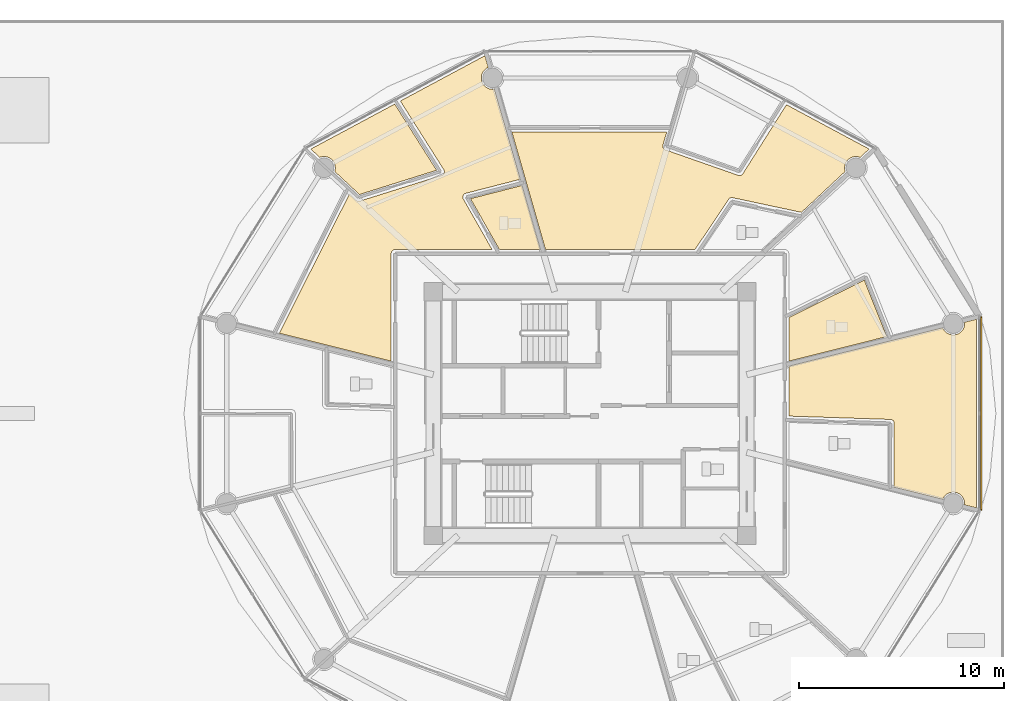
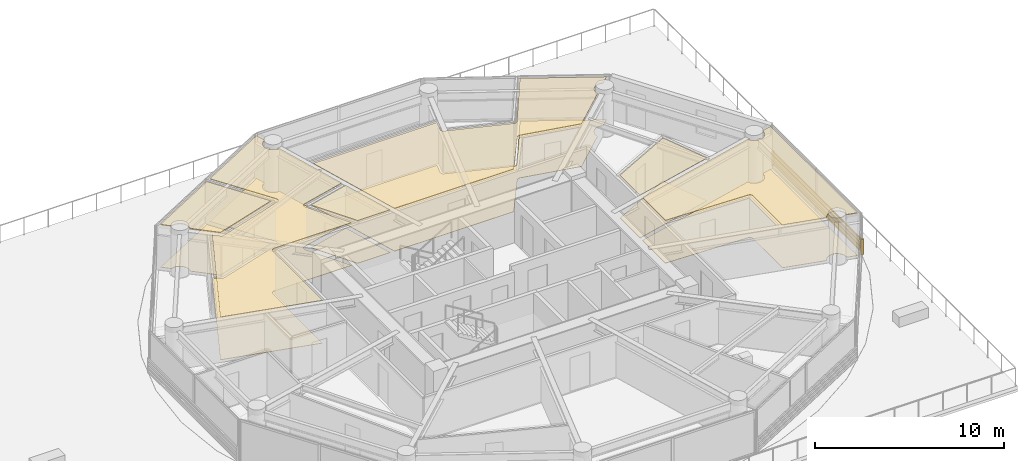
# One storey, part 29 of 32: 12 coverings, 1 shading device.
"""IFC4 building model written with IfcOpenShell, lengths in metres."""

from ifc_helpers import new_model, si_unit, direction, frame, origin, origin_2d, place, context, subcontext, project, spatial, polyline, rectangle, outline, extrude, source, transform, mapped, material, layer, layer_set, type_object, type_shapes, element, save


model = new_model("IFC4")

# Units and contexts
model_context = context("Model", 3, precision=1e-05, world=origin(), true_north=direction((0.0, 1.0)))
body_context = subcontext(model_context, "Body", "Model", "MODEL_VIEW")
ifc_project = project(units=[si_unit("LENGTHUNIT", "METRE"), si_unit("AREAUNIT", "SQUARE_METRE"), si_unit("VOLUMEUNIT", "CUBIC_METRE"), si_unit("PLANEANGLEUNIT", "RADIAN"), si_unit("MASSUNIT", "GRAM", prefix="KILO")], contexts=[model_context])

# Site, building, storey
site_placement = place(None, origin())
site = spatial("IfcSite", under=ifc_project, at=site_placement, CompositionType="ELEMENT")
building_placement = place(site_placement, origin())
building = spatial("IfcBuilding", under=site, at=building_placement, Name="Norrkilde Senior Care Towers", CompositionType="ELEMENT")
storey_placement = place(building_placement, frame((0.0, 0.0, 21.60009765625)))
storey = spatial("IfcBuildingStorey", under=building, at=storey_placement, Name="L05", CompositionType="ELEMENT", Elevation=21.60009765625)

# Coverings
ifc_material_1 = material(Name="Nordic Ash Timber", Category="wood")
ifc_layer_1 = layer(ifc_material_1, 0.044921875)
ifc_layer_set_1 = layer_set([ifc_layer_1], Name="Nordic Ash Timber")
covering_type_1 = type_object("IfcCoveringType", Name="Acoustic Ash Timber Slatted Ceiling 45", PredefinedType="CEILING", material=ifc_layer_set_1)
covering_1_placement = place(storey_placement, frame((0.0, 0.0, 2.744873046875)))
element("IfcCovering", 1, at=covering_1_placement, inside=storey, type_object=covering_type_1, Name="L05 Suspended Ceiling 0140", PredefinedType="CEILING", context=body_context, shape_type="SweptSolid", body=[
    extrude(outline(polyline([(31.555419921875, 13.073486328125), (31.5546875, 13.066650390625), (31.553466796875, 13.054443359375), (31.553466796875, 13.04736328125), (31.553466796875, 13.03515625), (31.553955078125, 13.028076171875), (31.555419921875, 13.01611328125), (31.556640625, 13.009033203125), (31.559326171875, 12.997314453125), (31.561279296875, 12.990478515625), (31.565185546875, 12.97900390625), (31.567626953125, 12.972412109375), (31.57275390625, 12.961181640625), (31.575927734375, 12.955078125), (31.58203125, 12.944580078125), (31.5859375, 12.9384765625), (31.593017578125, 12.9287109375), (31.597412109375, 12.923095703125), (31.60546875, 12.9140625), (31.610595703125, 12.9091796875), (31.619384765625, 12.90087890625), (31.625, 12.896240234375), (31.634765625, 12.88916015625), (31.640625, 12.88525390625), (31.65087890625, 12.87890625), (31.6572265625, 12.87548828125), (31.668212890625, 12.870361328125), (31.6748046875, 12.86767578125), (31.680419921875, 12.86572265625), (35.2333984375, 11.62109375), (35.23876953125, 11.619384765625), (35.245361328125, 11.617431640625), (35.25634765625, 11.61474609375), (35.262939453125, 11.61328125), (35.2744140625, 11.61181640625), (35.281005859375, 11.611083984375), (35.292724609375, 11.610595703125), (35.29931640625, 11.610595703125), (35.310791015625, 11.611083984375), (35.317626953125, 11.611572265625), (35.328857421875, 11.61328125), (35.33544921875, 11.614501953125), (35.3466796875, 11.617431640625), (35.35302734375, 11.619140625), (35.364013671875, 11.623046875), (35.370361328125, 11.62548828125), (35.380615234375, 11.63037109375), (35.38671875, 11.63330078125), (35.396728515625, 11.63916015625), (35.40234375, 11.642822265625), (35.41162109375, 11.649658203125), (35.4169921875, 11.65380859375), (35.425537109375, 11.661376953125), (35.430419921875, 11.666015625), (35.438232421875, 11.67431640625), (35.442626953125, 11.679443359375), (35.44970703125, 11.6884765625), (35.45361328125, 11.694091796875), (35.456787109375, 11.698974609375), (37.5869140625, 15.0673828125), (41.62109375, 12.904296875), (41.183349609375, 12.494873046875), (41.119140625, 12.521484375), (40.975341796875, 12.54052734375), (40.831787109375, 12.521484375), (40.697998046875, 12.466064453125), (40.5830078125, 12.3779296875), (40.494873046875, 12.262939453125), (40.439208984375, 12.129150390625), (40.42041015625, 11.9853515625), (40.439208984375, 11.841796875), (40.4521484375, 11.810791015625), (38.317626953125, 9.814453125), (34.9619140625, 10.530029296875), (34.9560546875, 10.53125), (34.94921875, 10.5322265625), (34.937255859375, 10.53369140625), (34.930419921875, 10.5341796875), (34.91845703125, 10.5341796875), (34.91162109375, 10.533935546875), (34.899658203125, 10.532958984375), (34.892822265625, 10.531982421875), (34.881103515625, 10.52978515625), (34.874267578125, 10.528076171875), (34.863037109375, 10.524658203125), (34.8564453125, 10.5224609375), (34.845458984375, 10.51806640625), (34.839111328125, 10.51513671875), (34.82861328125, 10.509521484375), (34.822509765625, 10.505859375), (34.8125, 10.49951171875), (34.80712890625, 10.495361328125), (34.7978515625, 10.48779296875), (34.792724609375, 10.483154296875), (34.7841796875, 10.474609375), (34.779541015625, 10.469482421875), (34.77197265625, 10.46044921875), (34.767822265625, 10.454833984375), (34.764404296875, 10.449951171875), (33.125, 8.0), (25.8330078125, 8.0), (24.189453125, 13.73681640625), (31.747802734375, 13.73681640625), (31.56103515625, 13.098388671875), (31.559326171875, 13.092529296875), (31.5576171875, 13.08544921875), (31.555419921875, 13.073486328125)])), origin(), (0.0, 0.0, 1.0), 0.044921875),
])
covering_2_placement = place(storey_placement, frame((0.0, 0.0, 2.744873046875)))
element("IfcCovering", 2, at=covering_2_placement, inside=storey, type_object=covering_type_1, Name="L05 Suspended Ceiling 0144", PredefinedType="CEILING", context=body_context, shape_type="SweptSolid", body=[
    extrude(outline(polyline([(18.447509765625, 7.992919921875), (18.436279296875, 7.989501953125), (18.428955078125, 7.98681640625), (18.41796875, 7.982421875), (18.410888671875, 7.97900390625), (18.400634765625, 7.973388671875), (18.393798828125, 7.969482421875), (18.384033203125, 7.962890625), (18.377685546875, 7.958251953125), (18.36865234375, 7.95068359375), (18.36279296875, 7.945556640625), (18.3544921875, 7.937255859375), (18.34912109375, 7.931396484375), (18.341796875, 7.92236328125), (18.337158203125, 7.916015625), (18.33056640625, 7.90625), (18.326416015625, 7.8994140625), (18.321044921875, 7.888916015625), (18.317626953125, 7.8818359375), (18.31298828125, 7.87109375), (18.310546875, 7.86376953125), (18.30712890625, 7.852294921875), (18.30517578125, 7.8447265625), (18.302734375, 7.833251953125), (18.3017578125, 7.825439453125), (18.300537109375, 7.813720703125), (18.300048828125, 7.805908203125), (18.300048828125, 7.800048828125), (18.300048828125, 2.5546875), (12.84326171875, 3.922119140625), (16.2666015625, 10.714111328125), (16.591552734375, 10.410400390625), (16.595703125, 10.406494140625), (16.600830078125, 10.402099609375), (16.610107421875, 10.39501953125), (16.615478515625, 10.39111328125), (16.625244140625, 10.385009765625), (16.631103515625, 10.3818359375), (16.6416015625, 10.376708984375), (16.647705078125, 10.3740234375), (16.658447265625, 10.369873046875), (16.664794921875, 10.36767578125), (16.67578125, 10.364501953125), (16.682373046875, 10.363037109375), (16.69384765625, 10.361083984375), (16.700439453125, 10.3603515625), (16.7119140625, 10.359375), (16.71875, 10.359130859375), (16.730224609375, 10.359375), (16.73681640625, 10.359619140625), (16.748291015625, 10.361083984375), (16.7548828125, 10.362060546875), (16.76611328125, 10.364501953125), (16.772705078125, 10.3662109375), (16.7783203125, 10.36767578125), (20.7607421875, 11.619140625), (20.766357421875, 11.62109375), (20.772705078125, 11.623291015625), (20.783203125, 11.6279296875), (20.789306640625, 11.630859375), (20.799560546875, 11.63623046875), (20.80517578125, 11.639892578125), (20.814697265625, 11.646240234375), (20.8203125, 11.650390625), (20.8291015625, 11.65771484375), (20.833984375, 11.662109375), (20.84228515625, 11.67041015625), (20.8466796875, 11.67529296875), (20.85400390625, 11.684326171875), (20.858154296875, 11.689697265625), (20.864501953125, 11.69921875), (20.8681640625, 11.705078125), (20.87353515625, 11.715087890625), (20.87646484375, 11.72119140625), (20.881103515625, 11.73193359375), (20.88330078125, 11.73828125), (20.88671875, 11.749267578125), (20.888427734375, 11.755859375), (20.890869140625, 11.76708984375), (20.891845703125, 11.773681640625), (20.89306640625, 11.78515625), (20.8935546875, 11.7919921875), (20.893798828125, 11.803466796875), (20.8935546875, 11.810302734375), (20.892578125, 11.82177734375), (20.8916015625, 11.828369140625), (20.8896484375, 11.83984375), (20.88818359375, 11.846435546875), (20.885009765625, 11.857421875), (20.8828125, 11.864013671875), (20.878662109375, 11.874755859375), (20.8759765625, 11.880859375), (20.87060546875, 11.89111328125), (20.867431640625, 11.89697265625), (20.864501953125, 11.90185546875), (18.748779296875, 15.24755859375), (22.87353515625, 17.458984375), (23.039306640625, 16.88037109375), (22.97314453125, 16.85302734375), (22.858154296875, 16.764892578125), (22.77001953125, 16.64990234375), (22.714599609375, 16.51611328125), (22.695556640625, 16.37255859375), (22.714599609375, 16.228759765625), (22.77001953125, 16.094970703125), (22.858154296875, 15.97998046875), (22.97314453125, 15.891845703125), (23.10693359375, 15.83642578125), (23.250732421875, 15.8173828125), (23.34033203125, 15.829345703125), (24.60107421875, 11.42822265625), (21.939697265625, 10.74365234375), (21.934326171875, 10.7421875), (21.927734375, 10.739990234375), (21.916748046875, 10.736083984375), (21.91064453125, 10.7333984375), (21.900146484375, 10.728515625), (21.894287109375, 10.725341796875), (21.88427734375, 10.71923828125), (21.878662109375, 10.715576171875), (21.869384765625, 10.708740234375), (21.864013671875, 10.704345703125), (21.85546875, 10.696533203125), (21.8505859375, 10.69189453125), (21.843017578125, 10.683349609375), (21.838623046875, 10.677978515625), (21.83154296875, 10.668701171875), (21.827880859375, 10.6630859375), (21.82177734375, 10.6533203125), (21.818603515625, 10.647216796875), (21.8134765625, 10.63671875), (21.81103515625, 10.630615234375), (21.806884765625, 10.61962890625), (21.804931640625, 10.61328125), (21.802001953125, 10.60205078125), (21.800537109375, 10.595458984375), (21.798828125, 10.583984375), (21.798095703125, 10.5771484375), (21.79736328125, 10.565673828125), (21.797119140625, 10.558837890625), (21.797607421875, 10.54736328125), (21.798095703125, 10.54052734375), (21.799560546875, 10.529052734375), (21.80078125, 10.5224609375), (21.803466796875, 10.51123046875), (21.805419921875, 10.504638671875), (21.80908203125, 10.49365234375), (21.8115234375, 10.4873046875), (21.816162109375, 10.476806640625), (21.8193359375, 10.470703125), (21.822021484375, 10.465576171875), (23.22607421875, 8.0), (18.5, 8.0), (18.494140625, 7.999755859375), (18.486328125, 7.99951171875), (18.474609375, 7.998291015625), (18.466796875, 7.9970703125), (18.455322265625, 7.994873046875), (18.447509765625, 7.992919921875)])), origin(), (0.0, 0.0, 1.0), 0.044921875),
])
covering_3_placement = place(storey_placement, frame((0.0, 0.0, 2.744873046875)))
element("IfcCovering", 3, at=covering_3_placement, inside=storey, type_object=covering_type_1, Name="L05 Suspended Ceiling 0146", PredefinedType="CEILING", context=body_context, shape_type="SweptSolid", body=[
    extrude(outline(polyline([(15.5478515625, 11.810791015625), (15.560791015625, 11.841796875), (15.57958984375, 11.9853515625), (15.560791015625, 12.129150390625), (15.505126953125, 12.262939453125), (15.4169921875, 12.3779296875), (15.302001953125, 12.466064453125), (15.168212890625, 12.521484375), (15.024658203125, 12.54052734375), (14.880859375, 12.521484375), (14.816650390625, 12.494873046875), (14.37890625, 12.904296875), (18.474853515625, 15.1005859375), (20.51904296875, 11.8681640625), (16.752197265625, 10.6845703125), (15.5478515625, 11.810791015625)])), origin(), (0.0, 0.0, 1.0), 0.044921875),
])
covering_4_placement = place(storey_placement, frame((0.0, 0.0, 2.744873046875)))
element("IfcCovering", 4, at=covering_4_placement, inside=storey, type_object=covering_type_1, Name="L05 Suspended Ceiling 0157", PredefinedType="CEILING", context=body_context, shape_type="SweptSolid", body=[
    extrude(outline(polyline([(42.844482421875, -0.4658203125), (42.843505859375, -0.454345703125), (42.842529296875, -0.447509765625), (42.84033203125, -0.436279296875), (42.8388671875, -0.4296875), (42.83544921875, -0.418701171875), (42.833251953125, -0.412353515625), (42.828857421875, -0.401611328125), (42.826171875, -0.3955078125), (42.82080078125, -0.38525390625), (42.8173828125, -0.37939453125), (42.811279296875, -0.36962890625), (42.80712890625, -0.3642578125), (42.800048828125, -0.355224609375), (42.795654296875, -0.35009765625), (42.78759765625, -0.341796875), (42.78271484375, -0.337158203125), (42.77392578125, -0.32958984375), (42.7685546875, -0.32568359375), (42.759033203125, -0.31884765625), (42.75341796875, -0.3154296875), (42.743408203125, -0.309814453125), (42.7373046875, -0.306640625), (42.726806640625, -0.302001953125), (42.720458984375, -0.299560546875), (42.70947265625, -0.2958984375), (42.703125, -0.294189453125), (42.69189453125, -0.29150390625), (42.68505859375, -0.290283203125), (42.673583984375, -0.288818359375), (42.6669921875, -0.288330078125), (42.6611328125, -0.2880859375), (37.699951171875, -0.126220703125), (37.699951171875, 2.30712890625), (45.2109375, 4.189697265625), (45.244140625, 4.109375), (45.332275390625, 3.99462890625), (45.447265625, 3.90625), (45.5810546875, 3.850830078125), (45.724853515625, 3.83203125), (45.868408203125, 3.850830078125), (46.002197265625, 3.90625), (46.1171875, 3.99462890625), (46.205322265625, 4.109375), (46.2607421875, 4.243408203125), (46.27978515625, 4.386962890625), (46.270751953125, 4.455322265625), (46.850830078125, 4.6005859375), (46.850830078125, -4.6005859375), (46.270751953125, -4.455322265625), (46.27978515625, -4.386962890625), (46.2607421875, -4.243408203125), (46.205322265625, -4.109375), (46.1171875, -3.99462890625), (46.002197265625, -3.90625), (45.868408203125, -3.850830078125), (45.724853515625, -3.83203125), (45.5810546875, -3.850830078125), (45.447265625, -3.90625), (45.332275390625, -3.99462890625), (45.244140625, -4.109375), (45.2109375, -4.189697265625), (42.838134765625, -3.594970703125), (42.844970703125, -0.478271484375), (42.844970703125, -0.472412109375), (42.844482421875, -0.4658203125)])), origin(), (0.0, 0.0, 1.0), 0.044921875),
])
ifc_material_2 = material(Name="Gypsum Acoustic Board")
ifc_layer_2 = layer(ifc_material_2, 0.030029296875)
ifc_layer_set_2 = layer_set([ifc_layer_2], Name="Gypsum Acoustic Board")
covering_type_2 = type_object("IfcCoveringType", Name="Medical Cleanable Gypsum Ceiling 30", PredefinedType="CEILING", material=ifc_layer_set_2)
covering_5_placement = place(storey_placement, frame((0.0, 0.0, 2.760009765625)))
element("IfcCovering", 5, at=covering_5_placement, inside=storey, type_object=covering_type_2, Name="L05 Suspended Ceiling 0145", PredefinedType="CEILING", context=body_context, shape_type="SweptSolid", body=[
    extrude(outline(polyline([(24.681640625, 11.12890625), (25.57958984375, 8.0), (23.582763671875, 8.0), (22.169189453125, 10.482666015625), (24.681640625, 11.12890625)])), origin(), (0.0, 0.0, 1.0), 0.02978515625),
])
covering_6_placement = place(storey_placement, frame((0.0, 0.0, 2.760009765625)))
element("IfcCovering", 6, at=covering_6_placement, inside=storey, type_object=covering_type_2, Name="L05 Suspended Ceiling 0160", PredefinedType="CEILING", context=body_context, shape_type="SweptSolid", body=[
    extrude(outline(polyline([(42.48193359375, 3.753173828125), (37.699951171875, 2.5546875), (37.699951171875, 4.68212890625), (41.3837890625, 6.510986328125), (42.48193359375, 3.753173828125)])), origin(), (0.0, 0.0, 1.0), 0.02978515625),
])
ifc_material_3 = material(Name="Slip-Resistant Porcelain Stone", Category="masonry")
ifc_layer_3 = layer(ifc_material_3, 0.02490234375)
ifc_layer_set_3 = layer_set([ifc_layer_3], Name="Slip-Resistant Porcelain Stone")
covering_type_3 = type_object("IfcCoveringType", Name="Slip-Resistant Porcelain Flooring 25", PredefinedType="FLOORING", material=ifc_layer_set_3)
covering_7_placement = place(storey_placement, origin())
element("IfcCovering", 7, at=covering_7_placement, inside=storey, type_object=covering_type_3, Name="L05 Floor Finish 0140", PredefinedType="FLOORING", context=body_context, shape_type="SweptSolid", body=[
    extrude(outline(polyline([(31.555419921875, 13.073486328125), (31.5546875, 13.066650390625), (31.553466796875, 13.054443359375), (31.553466796875, 13.04736328125), (31.553466796875, 13.03515625), (31.553955078125, 13.028076171875), (31.555419921875, 13.01611328125), (31.556640625, 13.009033203125), (31.559326171875, 12.997314453125), (31.561279296875, 12.990478515625), (31.565185546875, 12.97900390625), (31.567626953125, 12.972412109375), (31.57275390625, 12.961181640625), (31.575927734375, 12.955078125), (31.58203125, 12.944580078125), (31.5859375, 12.9384765625), (31.593017578125, 12.9287109375), (31.597412109375, 12.923095703125), (31.60546875, 12.9140625), (31.610595703125, 12.9091796875), (31.619384765625, 12.90087890625), (31.625, 12.896240234375), (31.634765625, 12.88916015625), (31.640625, 12.88525390625), (31.65087890625, 12.87890625), (31.6572265625, 12.87548828125), (31.668212890625, 12.870361328125), (31.6748046875, 12.86767578125), (31.680419921875, 12.86572265625), (35.2333984375, 11.62109375), (35.23876953125, 11.619384765625), (35.245361328125, 11.617431640625), (35.25634765625, 11.61474609375), (35.262939453125, 11.61328125), (35.2744140625, 11.61181640625), (35.281005859375, 11.611083984375), (35.292724609375, 11.610595703125), (35.29931640625, 11.610595703125), (35.310791015625, 11.611083984375), (35.317626953125, 11.611572265625), (35.328857421875, 11.61328125), (35.33544921875, 11.614501953125), (35.3466796875, 11.617431640625), (35.35302734375, 11.619140625), (35.364013671875, 11.623046875), (35.370361328125, 11.62548828125), (35.380615234375, 11.63037109375), (35.38671875, 11.63330078125), (35.396728515625, 11.63916015625), (35.40234375, 11.642822265625), (35.41162109375, 11.649658203125), (35.4169921875, 11.65380859375), (35.425537109375, 11.661376953125), (35.430419921875, 11.666015625), (35.438232421875, 11.67431640625), (35.442626953125, 11.679443359375), (35.44970703125, 11.6884765625), (35.45361328125, 11.694091796875), (35.456787109375, 11.698974609375), (37.5869140625, 15.0673828125), (41.62109375, 12.904296875), (41.183349609375, 12.494873046875), (41.119140625, 12.521484375), (40.975341796875, 12.54052734375), (40.831787109375, 12.521484375), (40.697998046875, 12.466064453125), (40.5830078125, 12.3779296875), (40.494873046875, 12.262939453125), (40.439208984375, 12.129150390625), (40.42041015625, 11.9853515625), (40.439208984375, 11.841796875), (40.4521484375, 11.810791015625), (38.317626953125, 9.814453125), (34.9619140625, 10.530029296875), (34.9560546875, 10.53125), (34.94921875, 10.5322265625), (34.937255859375, 10.53369140625), (34.930419921875, 10.5341796875), (34.91845703125, 10.5341796875), (34.91162109375, 10.533935546875), (34.899658203125, 10.532958984375), (34.892822265625, 10.531982421875), (34.881103515625, 10.52978515625), (34.874267578125, 10.528076171875), (34.863037109375, 10.524658203125), (34.8564453125, 10.5224609375), (34.845458984375, 10.51806640625), (34.839111328125, 10.51513671875), (34.82861328125, 10.509521484375), (34.822509765625, 10.505859375), (34.8125, 10.49951171875), (34.80712890625, 10.495361328125), (34.7978515625, 10.48779296875), (34.792724609375, 10.483154296875), (34.7841796875, 10.474609375), (34.779541015625, 10.469482421875), (34.77197265625, 10.46044921875), (34.767822265625, 10.454833984375), (34.764404296875, 10.449951171875), (33.125, 8.0), (25.8330078125, 8.0), (24.189453125, 13.73681640625), (31.747802734375, 13.73681640625), (31.56103515625, 13.098388671875), (31.559326171875, 13.092529296875), (31.5576171875, 13.08544921875), (31.555419921875, 13.073486328125)])), origin(), (0.0, 0.0, 1.0), 0.02490234375),
])
covering_8_placement = place(storey_placement, origin())
element("IfcCovering", 8, at=covering_8_placement, inside=storey, type_object=covering_type_3, Name="L05 Floor Finish 0144", PredefinedType="FLOORING", context=body_context, shape_type="SweptSolid", body=[
    extrude(outline(polyline([(18.447509765625, 7.992919921875), (18.436279296875, 7.989501953125), (18.428955078125, 7.98681640625), (18.41796875, 7.982421875), (18.410888671875, 7.97900390625), (18.400634765625, 7.973388671875), (18.393798828125, 7.969482421875), (18.384033203125, 7.962890625), (18.377685546875, 7.958251953125), (18.36865234375, 7.95068359375), (18.36279296875, 7.945556640625), (18.3544921875, 7.937255859375), (18.34912109375, 7.931396484375), (18.341796875, 7.92236328125), (18.337158203125, 7.916015625), (18.33056640625, 7.90625), (18.326416015625, 7.8994140625), (18.321044921875, 7.888916015625), (18.317626953125, 7.8818359375), (18.31298828125, 7.87109375), (18.310546875, 7.86376953125), (18.30712890625, 7.852294921875), (18.30517578125, 7.8447265625), (18.302734375, 7.833251953125), (18.3017578125, 7.825439453125), (18.300537109375, 7.813720703125), (18.300048828125, 7.805908203125), (18.300048828125, 7.800048828125), (18.300048828125, 2.5546875), (12.84326171875, 3.922119140625), (16.2666015625, 10.714111328125), (16.591552734375, 10.410400390625), (16.595703125, 10.406494140625), (16.600830078125, 10.402099609375), (16.610107421875, 10.39501953125), (16.615478515625, 10.39111328125), (16.625244140625, 10.385009765625), (16.631103515625, 10.3818359375), (16.6416015625, 10.376708984375), (16.647705078125, 10.3740234375), (16.658447265625, 10.369873046875), (16.664794921875, 10.36767578125), (16.67578125, 10.364501953125), (16.682373046875, 10.363037109375), (16.69384765625, 10.361083984375), (16.700439453125, 10.3603515625), (16.7119140625, 10.359375), (16.71875, 10.359130859375), (16.730224609375, 10.359375), (16.73681640625, 10.359619140625), (16.748291015625, 10.361083984375), (16.7548828125, 10.362060546875), (16.76611328125, 10.364501953125), (16.772705078125, 10.3662109375), (16.7783203125, 10.36767578125), (20.7607421875, 11.619140625), (20.766357421875, 11.62109375), (20.772705078125, 11.623291015625), (20.783203125, 11.6279296875), (20.789306640625, 11.630859375), (20.799560546875, 11.63623046875), (20.80517578125, 11.639892578125), (20.814697265625, 11.646240234375), (20.8203125, 11.650390625), (20.8291015625, 11.65771484375), (20.833984375, 11.662109375), (20.84228515625, 11.67041015625), (20.8466796875, 11.67529296875), (20.85400390625, 11.684326171875), (20.858154296875, 11.689697265625), (20.864501953125, 11.69921875), (20.8681640625, 11.705078125), (20.87353515625, 11.715087890625), (20.87646484375, 11.72119140625), (20.881103515625, 11.73193359375), (20.88330078125, 11.73828125), (20.88671875, 11.749267578125), (20.888427734375, 11.755859375), (20.890869140625, 11.76708984375), (20.891845703125, 11.773681640625), (20.89306640625, 11.78515625), (20.8935546875, 11.7919921875), (20.893798828125, 11.803466796875), (20.8935546875, 11.810302734375), (20.892578125, 11.82177734375), (20.8916015625, 11.828369140625), (20.8896484375, 11.83984375), (20.88818359375, 11.846435546875), (20.885009765625, 11.857421875), (20.8828125, 11.864013671875), (20.878662109375, 11.874755859375), (20.8759765625, 11.880859375), (20.87060546875, 11.89111328125), (20.867431640625, 11.89697265625), (20.864501953125, 11.90185546875), (18.748779296875, 15.24755859375), (22.87353515625, 17.458984375), (23.039306640625, 16.88037109375), (22.97314453125, 16.85302734375), (22.858154296875, 16.764892578125), (22.77001953125, 16.64990234375), (22.714599609375, 16.51611328125), (22.695556640625, 16.37255859375), (22.714599609375, 16.228759765625), (22.77001953125, 16.094970703125), (22.858154296875, 15.97998046875), (22.97314453125, 15.891845703125), (23.10693359375, 15.83642578125), (23.250732421875, 15.8173828125), (23.34033203125, 15.829345703125), (24.60107421875, 11.42822265625), (21.939697265625, 10.74365234375), (21.934326171875, 10.7421875), (21.927734375, 10.739990234375), (21.916748046875, 10.736083984375), (21.91064453125, 10.7333984375), (21.900146484375, 10.728515625), (21.894287109375, 10.725341796875), (21.88427734375, 10.71923828125), (21.878662109375, 10.715576171875), (21.869384765625, 10.708740234375), (21.864013671875, 10.704345703125), (21.85546875, 10.696533203125), (21.8505859375, 10.69189453125), (21.843017578125, 10.683349609375), (21.838623046875, 10.677978515625), (21.83154296875, 10.668701171875), (21.827880859375, 10.6630859375), (21.82177734375, 10.6533203125), (21.818603515625, 10.647216796875), (21.8134765625, 10.63671875), (21.81103515625, 10.630615234375), (21.806884765625, 10.61962890625), (21.804931640625, 10.61328125), (21.802001953125, 10.60205078125), (21.800537109375, 10.595458984375), (21.798828125, 10.583984375), (21.798095703125, 10.5771484375), (21.79736328125, 10.565673828125), (21.797119140625, 10.558837890625), (21.797607421875, 10.54736328125), (21.798095703125, 10.54052734375), (21.799560546875, 10.529052734375), (21.80078125, 10.5224609375), (21.803466796875, 10.51123046875), (21.805419921875, 10.504638671875), (21.80908203125, 10.49365234375), (21.8115234375, 10.4873046875), (21.816162109375, 10.476806640625), (21.8193359375, 10.470703125), (21.822021484375, 10.465576171875), (23.22607421875, 8.0), (18.5, 8.0), (18.494140625, 7.999755859375), (18.486328125, 7.99951171875), (18.474609375, 7.998291015625), (18.466796875, 7.9970703125), (18.455322265625, 7.994873046875), (18.447509765625, 7.992919921875)])), origin(), (0.0, 0.0, 1.0), 0.02490234375),
])
covering_9_placement = place(storey_placement, origin())
element("IfcCovering", 9, at=covering_9_placement, inside=storey, type_object=covering_type_3, Name="L05 Floor Finish 0145", PredefinedType="FLOORING", context=body_context, shape_type="SweptSolid", body=[
    extrude(outline(polyline([(24.681640625, 11.12890625), (25.57958984375, 8.0), (23.582763671875, 8.0), (22.169189453125, 10.482666015625), (24.681640625, 11.12890625)])), origin(), (0.0, 0.0, 1.0), 0.02490234375),
])
covering_10_placement = place(storey_placement, origin())
element("IfcCovering", 10, at=covering_10_placement, inside=storey, type_object=covering_type_3, Name="L05 Floor Finish 0146", PredefinedType="FLOORING", context=body_context, shape_type="SweptSolid", body=[
    extrude(outline(polyline([(15.5478515625, 11.810791015625), (15.560791015625, 11.841796875), (15.57958984375, 11.9853515625), (15.560791015625, 12.129150390625), (15.505126953125, 12.262939453125), (15.4169921875, 12.3779296875), (15.302001953125, 12.466064453125), (15.168212890625, 12.521484375), (15.024658203125, 12.54052734375), (14.880859375, 12.521484375), (14.816650390625, 12.494873046875), (14.37890625, 12.904296875), (18.474853515625, 15.1005859375), (20.51904296875, 11.8681640625), (16.752197265625, 10.6845703125), (15.5478515625, 11.810791015625)])), origin(), (0.0, 0.0, 1.0), 0.02490234375),
])
covering_11_placement = place(storey_placement, origin())
element("IfcCovering", 11, at=covering_11_placement, inside=storey, type_object=covering_type_3, Name="L05 Floor Finish 0157", PredefinedType="FLOORING", context=body_context, shape_type="SweptSolid", body=[
    extrude(outline(polyline([(42.844482421875, -0.4658203125), (42.843505859375, -0.454345703125), (42.842529296875, -0.447509765625), (42.84033203125, -0.436279296875), (42.8388671875, -0.4296875), (42.83544921875, -0.418701171875), (42.833251953125, -0.412353515625), (42.828857421875, -0.401611328125), (42.826171875, -0.3955078125), (42.82080078125, -0.38525390625), (42.8173828125, -0.37939453125), (42.811279296875, -0.36962890625), (42.80712890625, -0.3642578125), (42.800048828125, -0.355224609375), (42.795654296875, -0.35009765625), (42.78759765625, -0.341796875), (42.78271484375, -0.337158203125), (42.77392578125, -0.32958984375), (42.7685546875, -0.32568359375), (42.759033203125, -0.31884765625), (42.75341796875, -0.3154296875), (42.743408203125, -0.309814453125), (42.7373046875, -0.306640625), (42.726806640625, -0.302001953125), (42.720458984375, -0.299560546875), (42.70947265625, -0.2958984375), (42.703125, -0.294189453125), (42.69189453125, -0.29150390625), (42.68505859375, -0.290283203125), (42.673583984375, -0.288818359375), (42.6669921875, -0.288330078125), (42.6611328125, -0.2880859375), (37.699951171875, -0.126220703125), (37.699951171875, 2.30712890625), (45.2109375, 4.189697265625), (45.244140625, 4.109375), (45.332275390625, 3.99462890625), (45.447265625, 3.90625), (45.5810546875, 3.850830078125), (45.724853515625, 3.83203125), (45.868408203125, 3.850830078125), (46.002197265625, 3.90625), (46.1171875, 3.99462890625), (46.205322265625, 4.109375), (46.2607421875, 4.243408203125), (46.27978515625, 4.386962890625), (46.270751953125, 4.455322265625), (46.850830078125, 4.6005859375), (46.850830078125, -4.6005859375), (46.270751953125, -4.455322265625), (46.27978515625, -4.386962890625), (46.2607421875, -4.243408203125), (46.205322265625, -4.109375), (46.1171875, -3.99462890625), (46.002197265625, -3.90625), (45.868408203125, -3.850830078125), (45.724853515625, -3.83203125), (45.5810546875, -3.850830078125), (45.447265625, -3.90625), (45.332275390625, -3.99462890625), (45.244140625, -4.109375), (45.2109375, -4.189697265625), (42.838134765625, -3.594970703125), (42.844970703125, -0.478271484375), (42.844970703125, -0.472412109375), (42.844482421875, -0.4658203125)])), origin(), (0.0, 0.0, 1.0), 0.02490234375),
])
covering_12_placement = place(storey_placement, origin())
element("IfcCovering", 12, at=covering_12_placement, inside=storey, type_object=covering_type_3, Name="L05 Floor Finish 0160", PredefinedType="FLOORING", context=body_context, shape_type="SweptSolid", body=[
    extrude(outline(polyline([(42.48193359375, 3.753173828125), (37.699951171875, 2.5546875), (37.699951171875, 4.68212890625), (41.3837890625, 6.510986328125), (42.48193359375, 3.753173828125)])), origin(), (0.0, 0.0, 1.0), 0.02490234375),
])

# Shading device
ifc_material_4 = material(Name="Architectural Terracotta", Category="masonry")
shading_device_type = type_object("IfcShadingDeviceType", Name="Horizontal Terracotta Baguette Rack", PredefinedType="USERDEFINED", material=ifc_material_4)
shared_shape = source(origin(), body_context, "Body", "SweptSolid", [
    extrude(rectangle(XDim=0.070068359375, YDim=0.110107421875, at=origin_2d()), frame((0.0, 0.090087890625, 0.125), z_axis=(1.0, 0.0, 0.0), x_axis=(0.0, 1.0, 0.0)), (0.0, 0.0, 1.0), 9.46240234375),
    extrude(rectangle(XDim=0.070068359375, YDim=0.110107421875, at=origin_2d()), frame((0.0, 0.090087890625, 0.375), z_axis=(1.0, 0.0, 0.0), x_axis=(0.0, 1.0, 0.0)), (0.0, 0.0, 1.0), 9.46240234375),
    extrude(rectangle(XDim=0.070068359375, YDim=0.110107421875, at=origin_2d()), frame((0.0, 0.090087890625, 0.625), z_axis=(1.0, 0.0, 0.0), x_axis=(0.0, 1.0, 0.0)), (0.0, 0.0, 1.0), 9.46240234375),
    extrude(rectangle(XDim=0.070068359375, YDim=0.110107421875, at=origin_2d()), frame((0.0, 0.090087890625, 0.875), z_axis=(1.0, 0.0, 0.0), x_axis=(0.0, 1.0, 0.0)), (0.0, 0.0, 1.0), 9.46240234375),
    extrude(rectangle(XDim=0.050048828125, YDim=0.1552734375, at=origin_2d()), frame((0.02490234375, 0.047607421875, 0.0)), (0.0, 0.0, 1.0), 1.0),
    extrude(rectangle(XDim=0.050048828125, YDim=0.1552734375, at=origin_2d()), frame((9.4375, 0.047607421875, 0.0)), (0.0, 0.0, 1.0), 1.0),
])
type_shapes(shading_device_type, [shared_shape])
shading_device_placement = place(storey_placement, frame((47.009521484375, 4.731201171875, 0.079833984375), z_axis=(0.0, 0.0, 1.0), x_axis=(0.0, -1.0, 0.0)))
element("IfcShadingDevice", 13, at=shading_device_placement, inside=storey, type_object=shading_device_type, Name="L05 Drum E Terracotta Baguette Screen 11", ObjectType="BAGUETTE", PredefinedType="USERDEFINED", context=body_context, shape_type="MappedRepresentation", body=[
    mapped(shared_shape, transform((0.0, 0.0, 0.0), x_axis=(1.0, 0.0, 0.0), y_axis=(0.0, 1.0, 0.0), z_axis=(0.0, 0.0, 1.0), scale=1.0)),
])

save(model, "model.ifc")
